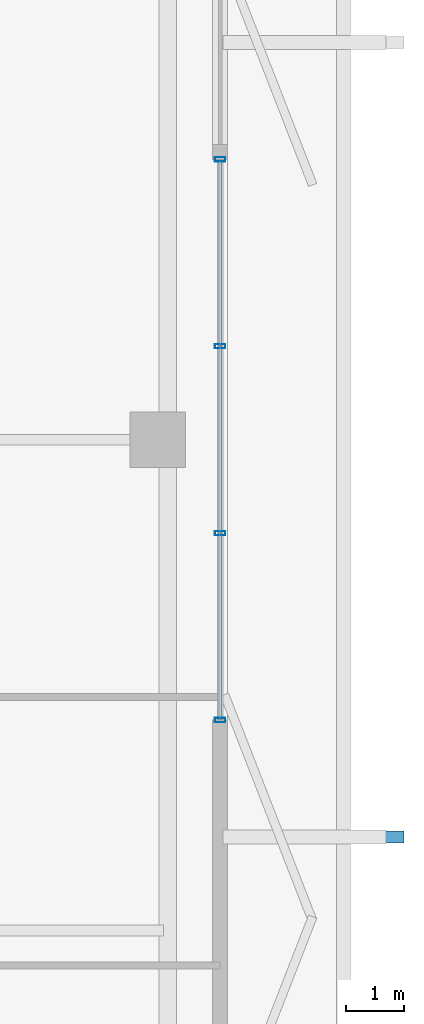
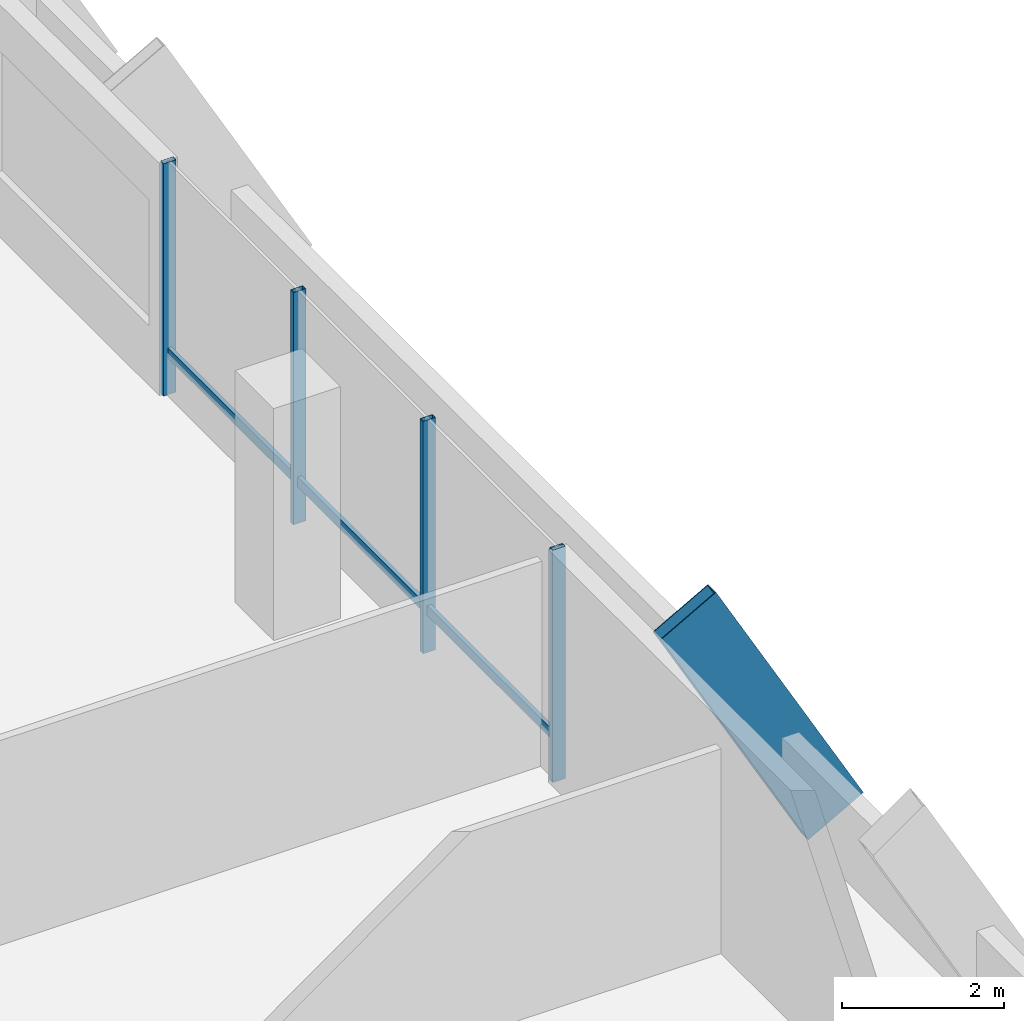
# One storey, part 8 of 17: 8 members, 1 element without a shape of its own.
"""IFC4 building model written with IfcOpenShell, lengths in metres."""

from ifc_helpers import new_model, si_unit, direction, frame, origin, origin_2d, place, context, subcontext, project, spatial, hollow_rectangle, extrude, material, layer, layer_set, material_profile, profile_set, type_object, element, aggregate, save


model = new_model("IFC4")

# Units and contexts
model_context = context("Model", 3, precision=1e-05, world=origin(), true_north=direction((0.0, 1.0)))
body_context = subcontext(model_context, "Body", "Model", "MODEL_VIEW")
ifc_project = project(units=[si_unit("LENGTHUNIT", "METRE"), si_unit("AREAUNIT", "SQUARE_METRE"), si_unit("VOLUMEUNIT", "CUBIC_METRE"), si_unit("PLANEANGLEUNIT", "RADIAN"), si_unit("MASSUNIT", "GRAM", prefix="KILO")], contexts=[model_context])

# Site, building, storey
site_placement = place(None, origin())
site = spatial("IfcSite", under=ifc_project, at=site_placement, CompositionType="ELEMENT")
building_placement = place(site_placement, origin())
building = spatial("IfcBuilding", under=site, at=building_placement, Name="Belovzor Exchange Tower", CompositionType="ELEMENT")
storey_placement = place(building_placement, frame((0.0, 0.0, 246.60009765625)))
storey = spatial("IfcBuildingStorey", under=building, at=storey_placement, Name="L61", CompositionType="ELEMENT", Elevation=246.60009765625)

# Member
ifc_material_1 = material(Name="Extruded Architectural Terracotta on Steel S355 Carrier", Category="masonry")
ifc_material_profile_1 = material_profile(ifc_material_1, hollow_rectangle(XDim=0.199951171875, YDim=0.89990234375, WallThickness=0.011962890625, at=origin_2d()))
ifc_profile_set_1 = profile_set([ifc_material_profile_1], Name="Extruded Architectural Terracotta on Steel S355 Carrier")
member_type_1 = type_object("IfcMemberType", Name="Sweeping Terracotta Baguette Fin Assembly 950", PredefinedType="USERDEFINED", material=ifc_profile_set_1)
member_1_placement = place(storey_placement, frame((56.324951171875, 22.0, -0.25), z_axis=(-0.488577422588, 0.0, 0.872520545396), x_axis=(0.0, -1.0, 0.0)))
element("IfcMember", 1, at=member_1_placement, inside=storey, type_object=member_type_1, Name="FIN-TC095 Terracotta Facade Fin L61 E2", ObjectType="FIN", PredefinedType="USERDEFINED", context=body_context, shape_type="SweptSolid", body=[
    extrude(hollow_rectangle(XDim=0.199951171875, YDim=0.89990234375, WallThickness=0.011962890625, at=origin_2d()), origin(), (0.0, 0.0, 1.0), 4.2978515625),
])

# Curtain wall, members
ifc_material_2 = material(Name="Anodised Aluminium Framing", Category="aluminium")
ifc_layer = layer(ifc_material_2, 0.179931640625)
ifc_layer_set = layer_set([ifc_layer], Name="Anodised Aluminium Framing")
curtain_wall_type = type_object("IfcCurtainWallType", Name="Recessed Loggia Low-Iron Triple-Glazed Curtain Wall", PredefinedType="NOTDEFINED", material=ifc_layer_set)
curtain_wall_placement = place(storey_placement, origin())
curtain_wall = element("IfcCurtainWall", 2, at=curtain_wall_placement, inside=storey, type_object=curtain_wall_type, Name="CW3 Recessed Loggia Low-Iron Triple-Glazed Curtain Wall L61", PredefinedType="NOTDEFINED")
ifc_material_3 = material(Name="Steel S355", Category="steel")
ifc_material_profile_2 = material_profile(ifc_material_3, hollow_rectangle(XDim=0.074951171875, YDim=0.179931640625, WallThickness=0.0048828125, at=origin_2d()))
ifc_profile_set_2 = profile_set([ifc_material_profile_2], Name="Steel S355")
member_type_2 = type_object("IfcMemberType", Name="Thermally Broken Curtain Wall Mullion 180x75", PredefinedType="MULLION", material=ifc_profile_set_2)
member_2_placement = place(storey_placement, frame((53.570068359375, 33.60009765625, 0.0), z_axis=(0.0, 0.0, 1.0), x_axis=(0.0, -1.0, 0.0)))
member_2 = element("IfcMember", 3, at=member_2_placement, type_object=member_type_2, Name="CW-M180 Curtain Wall Mullion 1", PredefinedType="MULLION", context=body_context, shape_type="SweptSolid", body=[
    extrude(hollow_rectangle(XDim=0.074951171875, YDim=0.179931640625, WallThickness=0.0048828125, at=origin_2d()), origin(), (0.0, 0.0, 1.0), 3.5),
])
member_3_placement = place(storey_placement, frame((53.570068359375, 30.39990234375, 0.0), z_axis=(0.0, 0.0, 1.0), x_axis=(0.0, -1.0, 0.0)))
member_3 = element("IfcMember", 4, at=member_3_placement, type_object=member_type_2, Name="CW-M180 Curtain Wall Mullion 2", PredefinedType="MULLION", context=body_context, shape_type="SweptSolid", body=[
    extrude(hollow_rectangle(XDim=0.074951171875, YDim=0.179931640625, WallThickness=0.0048828125, at=origin_2d()), origin(), (0.0, 0.0, 1.0), 3.5),
])
member_4_placement = place(storey_placement, frame((53.570068359375, 27.199951171875, 0.0), z_axis=(0.0, 0.0, 1.0), x_axis=(0.0, -1.0, 0.0)))
member_4 = element("IfcMember", 5, at=member_4_placement, type_object=member_type_2, Name="CW-M180 Curtain Wall Mullion 3", PredefinedType="MULLION", context=body_context, shape_type="SweptSolid", body=[
    extrude(hollow_rectangle(XDim=0.074951171875, YDim=0.179931640625, WallThickness=0.0048828125, at=origin_2d()), origin(), (0.0, 0.0, 1.0), 3.5),
])
member_5_placement = place(storey_placement, frame((53.570068359375, 24.0, 0.0), z_axis=(0.0, 0.0, 1.0), x_axis=(0.0, -1.0, 0.0)))
member_5 = element("IfcMember", 6, at=member_5_placement, type_object=member_type_2, Name="CW-M180 Curtain Wall Mullion 4", PredefinedType="MULLION", context=body_context, shape_type="SweptSolid", body=[
    extrude(hollow_rectangle(XDim=0.074951171875, YDim=0.179931640625, WallThickness=0.0048828125, at=origin_2d()), origin(), (0.0, 0.0, 1.0), 3.5),
])
ifc_material_4 = material(Name="Steel S355", Category="steel")
ifc_material_profile_3 = material_profile(ifc_material_4, hollow_rectangle(XDim=0.06005859375, YDim=0.14990234375, WallThickness=0.00390625, at=origin_2d()))
ifc_profile_set_3 = profile_set([ifc_material_profile_3], Name="Steel S355")
member_type_3 = type_object("IfcMemberType", Name="Thermally Broken Curtain Wall Transom 150x60", PredefinedType="USERDEFINED", material=ifc_profile_set_3)
member_6_placement = place(storey_placement, frame((53.570068359375, 33.592041015625, 0.6298828125), z_axis=(0.0, -1.0, 0.0), x_axis=(1.0, 0.0, 0.0)))
member_6 = element("IfcMember", 7, at=member_6_placement, type_object=member_type_3, Name="CW-T150 Curtain Wall Transom 1", ObjectType="TRANSOM", PredefinedType="USERDEFINED", context=body_context, shape_type="SweptSolid", body=[
    extrude(hollow_rectangle(XDim=0.06005859375, YDim=0.14990234375, WallThickness=0.00390625, at=origin_2d()), origin(), (0.0, 0.0, 1.0), 3.18408203125),
])
member_7_placement = place(storey_placement, frame((53.570068359375, 30.39208984375, 0.6298828125), z_axis=(0.0, -1.0, 0.0), x_axis=(1.0, 0.0, 0.0)))
member_7 = element("IfcMember", 8, at=member_7_placement, type_object=member_type_3, Name="CW-T150 Curtain Wall Transom 2", ObjectType="TRANSOM", PredefinedType="USERDEFINED", context=body_context, shape_type="SweptSolid", body=[
    extrude(hollow_rectangle(XDim=0.06005859375, YDim=0.14990234375, WallThickness=0.00390625, at=origin_2d()), origin(), (0.0, 0.0, 1.0), 3.18408203125),
])
member_8_placement = place(storey_placement, frame((53.570068359375, 27.19189453125, 0.6298828125), z_axis=(0.0, -1.0, 0.0), x_axis=(1.0, 0.0, 0.0)))
member_8 = element("IfcMember", 9, at=member_8_placement, type_object=member_type_3, Name="CW-T150 Curtain Wall Transom 3", ObjectType="TRANSOM", PredefinedType="USERDEFINED", context=body_context, shape_type="SweptSolid", body=[
    extrude(hollow_rectangle(XDim=0.06005859375, YDim=0.14990234375, WallThickness=0.00390625, at=origin_2d()), origin(), (0.0, 0.0, 1.0), 3.183837890625),
])
aggregate(curtain_wall, [member_2, member_3, member_4, member_5, member_6, member_7, member_8])

save(model, "model.ifc")
